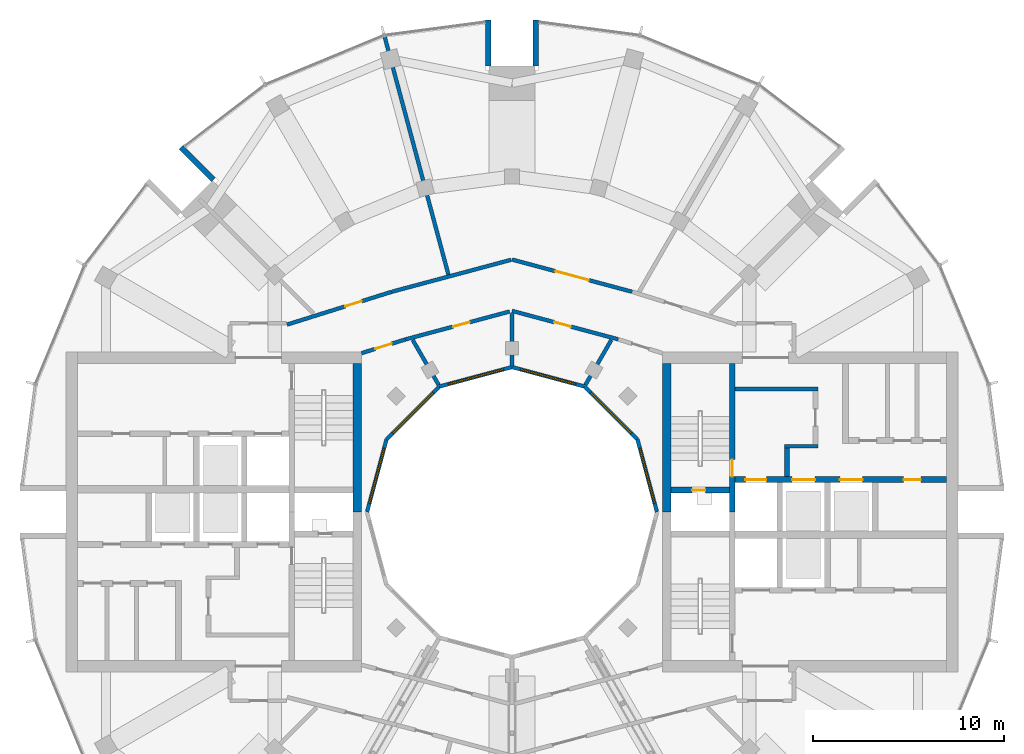
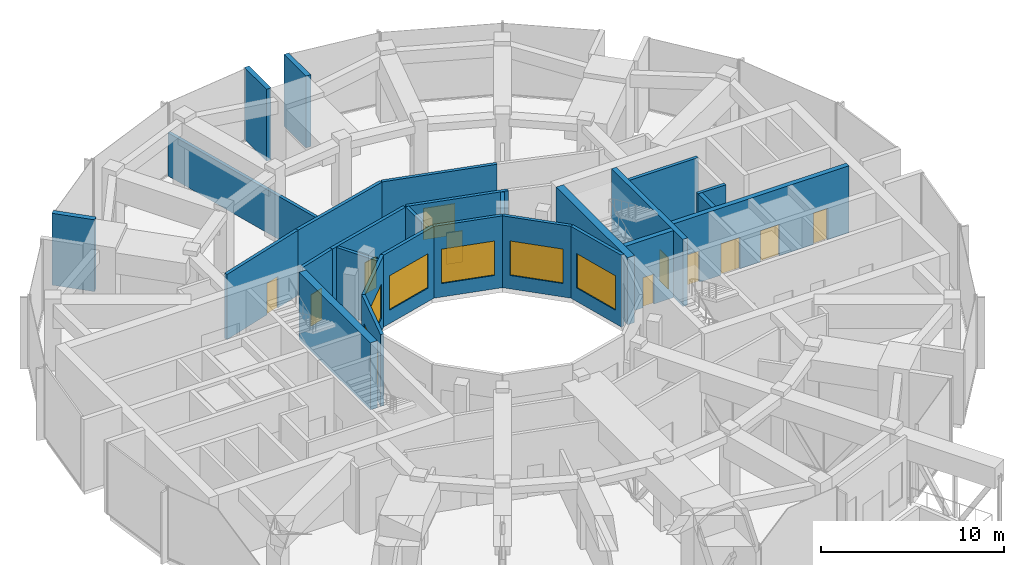
# One storey, part 13 of 17: 27 walls, 11 doors, 6 windows, 17 openings.
"""IFC4 building model written with IfcOpenShell, lengths in metres."""

from ifc_helpers import new_model, si_unit, direction, frame, frame_2d, origin, place, context, subcontext, project, spatial, rectangle, extrude, material, layer, layer_set, type_object, element, fill, save


model = new_model("IFC4")

# Units and contexts
model_context = context("Model", 3, precision=1e-05, world=origin(), true_north=direction((0.0, 1.0)))
body_context = subcontext(model_context, "Body", "Model", "MODEL_VIEW")
ifc_project = project(units=[si_unit("LENGTHUNIT", "METRE"), si_unit("AREAUNIT", "SQUARE_METRE"), si_unit("VOLUMEUNIT", "CUBIC_METRE"), si_unit("PLANEANGLEUNIT", "RADIAN"), si_unit("MASSUNIT", "GRAM", prefix="KILO")], contexts=[model_context])

# Site, building, storey
site_placement = place(None, origin())
site = spatial("IfcSite", under=ifc_project, at=site_placement, CompositionType="ELEMENT")
building_placement = place(site_placement, origin())
building = spatial("IfcBuilding", under=site, at=building_placement, Name="Torre Brocal", CompositionType="ELEMENT")
storey_placement = place(building_placement, frame((0.0, 0.0, 270.89990234375)))
storey = spatial("IfcBuildingStorey", under=building, at=storey_placement, Name="L62", CompositionType="ELEMENT", Elevation=270.89990234375)

# Walls
ifc_material_1 = material(Name="Concrete C60", Category="concrete")
ifc_layer_1 = layer(ifc_material_1, 0.199951171875)
ifc_layer_set_1 = layer_set([ifc_layer_1], Name="Concrete C60")
wall_type_1 = type_object("IfcWallType", Name="CORE WALL 200 C60", PredefinedType="SHEAR", material=ifc_layer_set_1)
wall_1_placement = place(storey_placement, frame((91.699951171875, 81.449951171875, 0.0), z_axis=(0.0, 0.0, 1.0), x_axis=(1.0, 0.0, 0.0)))
element("IfcWall", 1, at=wall_1_placement, inside=storey, type_object=wall_type_1, Name="Wall CW200-60", PredefinedType="SHEAR", context=body_context, shape_type="SweptSolid", body=[
    extrude(rectangle(XDim=4.35009765625, YDim=0.199951171875, at=frame_2d((2.175048828125, 0.0))), origin(), (0.0, 0.0, 1.0), 4.47998046875),
])
wall_2_placement = place(storey_placement, frame((94.300048828125, 78.449951171875, 0.0), z_axis=(0.0, 0.0, 1.0), x_axis=(1.0, 0.0, 0.0)))
element("IfcWall", 2, at=wall_2_placement, inside=storey, type_object=wall_type_1, Name="Wall CW200-60", PredefinedType="SHEAR", context=body_context, shape_type="SweptSolid", body=[
    extrude(rectangle(XDim=1.75, YDim=0.199951171875, at=frame_2d((0.875, 0.0))), origin(), (0.0, 0.0, 1.0), 4.47998046875),
])
ifc_material_2 = material(Name="Concrete C60", Category="concrete")
ifc_layer_2 = layer(ifc_material_2, 0.25)
ifc_layer_set_2 = layer_set([ifc_layer_2], Name="Concrete C60")
wall_type_2 = type_object("IfcWallType", Name="CORE WALL 250 C60", PredefinedType="SHEAR", material=ifc_layer_set_2)
wall_3_placement = place(storey_placement, frame((94.425048828125, 76.85009765625, 0.0), z_axis=(0.0, 0.0, 1.0), x_axis=(0.0, 1.0, 0.0)))
element("IfcWall", 3, at=wall_3_placement, inside=storey, type_object=wall_type_2, Name="Wall CW250-60", PredefinedType="SHEAR", context=body_context, shape_type="SweptSolid", body=[
    extrude(rectangle(XDim=1.5, YDim=0.25, at=frame_2d((0.75, 0.0))), origin(), (0.0, 0.0, 1.0), 4.47998046875),
])

# Wall, opening, door
ifc_material_3 = material(Name="Concrete C60", Category="concrete")
ifc_layer_3 = layer(ifc_material_3, 0.300048828125)
ifc_layer_set_3 = layer_set([ifc_layer_3], Name="Concrete C60")
wall_type_3 = type_object("IfcWallType", Name="CORE WALL 300 C60", PredefinedType="SHEAR", material=ifc_layer_set_3)
wall_4_placement = place(storey_placement, frame((91.550048828125, 75.0, 0.0), z_axis=(0.0, 0.0, 1.0), x_axis=(0.0, 1.0, 0.0)))
wall_4 = element("IfcWall", 4, at=wall_4_placement, inside=storey, type_object=wall_type_3, Name="Wall CW300-60", PredefinedType="SHEAR", context=body_context, shape_type="SweptSolid", body=[
    extrude(rectangle(XDim=7.800048828125, YDim=0.300048828125, at=frame_2d((3.89990234375, 0.0))), origin(), (0.0, 0.0, 1.0), 4.47998046875),
])
opening_1_placement = place(wall_4_placement, frame((1.85009765625, 0.0, 0.0)))
opening_1 = element("IfcOpeningElement", 5, at=opening_1_placement, cuts=wall_4, Name="Opening E-D02", PredefinedType="OPENING", context=body_context, shape_type="SweptSolid", body=[
    extrude(rectangle(XDim=0.89990234375, YDim=2.10009765625, at=frame_2d((0.449951171875, 1.050048828125))), frame((0.0, 0.159912109375, 0.0), z_axis=(0.0, -1.0, 0.0), x_axis=(1.0, 0.0, 0.0)), (0.0, 0.0, 1.0), 0.320068359375),
])
ifc_material_4 = material(Name="Steel A653", Category="steel")
door_type_1 = type_object("IfcDoorType", Name="STAIR DOOR FD120 900X2100", OperationType="SINGLE_SWING_RIGHT", PredefinedType="DOOR", material=ifc_material_4)
door_1_placement = place(opening_1_placement, origin())
door_1 = element("IfcDoor", 6, at=door_1_placement, inside=storey, type_object=door_type_1, Name="Door E-D02", OperationType="SINGLE_SWING_LEFT", OverallHeight=2.10009765625, OverallWidth=0.89990234375, PredefinedType="DOOR", context=body_context, shape_type="SweptSolid", body=[
    extrude(rectangle(XDim=0.89990234375, YDim=2.10009765625, at=frame_2d((0.449951171875, 1.050048828125))), frame((0.0, 0.02490234375, 0.0), z_axis=(0.0, -1.0, 0.0), x_axis=(1.0, 0.0, 0.0)), (0.0, 0.0, 1.0), 0.050048828125),
])
fill(opening_1, door_1)

wall_5_placement = place(storey_placement, frame((88.35009765625, 76.14990234375, 0.0), z_axis=(0.0, 0.0, 1.0), x_axis=(1.0, 0.0, 0.0)))
wall_5 = element("IfcWall", 7, at=wall_5_placement, inside=storey, type_object=wall_type_3, Name="Wall CW300-60", PredefinedType="SHEAR", context=body_context, shape_type="SweptSolid", body=[
    extrude(rectangle(XDim=3.0498046875, YDim=0.300048828125, at=frame_2d((1.52490234375, 0.0))), origin(), (0.0, 0.0, 1.0), 4.47998046875),
])
opening_2_placement = place(wall_5_placement, frame((1.10009765625, 0.0, 0.0)))
opening_2 = element("IfcOpeningElement", 8, at=opening_2_placement, cuts=wall_5, Name="Opening E-D01", PredefinedType="OPENING", context=body_context, shape_type="SweptSolid", body=[
    extrude(rectangle(XDim=0.699951171875, YDim=2.0, at=frame_2d((0.35009765625, 1.0))), frame((0.0, 0.159912109375, 0.0), z_axis=(0.0, -1.0, 0.0), x_axis=(1.0, 0.0, 0.0)), (0.0, 0.0, 1.0), 0.320068359375),
])
ifc_material_5 = material(Name="Steel A653", Category="steel")
door_type_2 = type_object("IfcDoorType", Name="RISER DOOR FD120 700X2000", OperationType="SINGLE_SWING_LEFT", PredefinedType="DOOR", material=ifc_material_5)
door_2_placement = place(opening_2_placement, frame((0.699951171875, 0.0, 0.0), z_axis=(0.0, 0.0, 1.0), x_axis=(-1.0, 0.0, 0.0)))
door_2 = element("IfcDoor", 9, at=door_2_placement, inside=storey, type_object=door_type_2, Name="Door E-D01", OperationType="SINGLE_SWING_RIGHT", OverallHeight=2.0, OverallWidth=0.699951171875, PredefinedType="DOOR", context=body_context, shape_type="SweptSolid", body=[
    extrude(rectangle(XDim=0.699951171875, YDim=2.0, at=frame_2d((0.35009765625, 1.0))), frame((0.0, 0.02490234375, 0.0), z_axis=(0.0, -1.0, 0.0), x_axis=(1.0, 0.0, 0.0)), (0.0, 0.0, 1.0), 0.050048828125),
])
fill(opening_2, door_2)

# Wall, openings, doors
wall_6_placement = place(storey_placement, frame((91.699951171875, 76.699951171875, 0.0), z_axis=(0.0, 0.0, 1.0), x_axis=(1.0, 0.0, 0.0)))
wall_6 = element("IfcWall", 10, at=wall_6_placement, inside=storey, type_object=wall_type_3, Name="Wall CW300-60", PredefinedType="SHEAR", context=body_context, shape_type="SweptSolid", body=[
    extrude(rectangle(XDim=11.10009765625, YDim=0.300048828125, at=frame_2d((5.550048828125, 0.0))), origin(), (0.0, 0.0, 1.0), 4.47998046875),
])
opening_3_placement = place(wall_6_placement, frame((0.550048828125, 0.0, 0.0)))
opening_3 = element("IfcOpeningElement", 11, at=opening_3_placement, cuts=wall_6, Name="Opening LD", PredefinedType="OPENING", context=body_context, shape_type="SweptSolid", body=[
    extrude(rectangle(XDim=1.10009765625, YDim=2.10009765625, at=frame_2d((0.550048828125, 1.050048828125))), frame((0.0, 0.159912109375, 0.0), z_axis=(0.0, -1.0, 0.0), x_axis=(1.0, 0.0, 0.0)), (0.0, 0.0, 1.0), 0.320068359375),
])
opening_4_placement = place(wall_6_placement, frame((3.0, 0.0, 0.0)))
opening_4 = element("IfcOpeningElement", 12, at=opening_4_placement, cuts=wall_6, Name="Opening LD12", PredefinedType="OPENING", context=body_context, shape_type="SweptSolid", body=[
    extrude(rectangle(XDim=1.199951171875, YDim=2.10009765625, at=frame_2d((0.60009765625, 1.050048828125))), frame((0.0, 0.159912109375, 0.0), z_axis=(0.0, -1.0, 0.0), x_axis=(1.0, 0.0, 0.0)), (0.0, 0.0, 1.0), 0.320068359375),
])
opening_5_placement = place(wall_6_placement, frame((5.5, 0.0, 0.0)))
opening_5 = element("IfcOpeningElement", 13, at=opening_5_placement, cuts=wall_6, Name="Opening LD12", PredefinedType="OPENING", context=body_context, shape_type="SweptSolid", body=[
    extrude(rectangle(XDim=1.199951171875, YDim=2.10009765625, at=frame_2d((0.60009765625, 1.050048828125))), frame((0.0, 0.159912109375, 0.0), z_axis=(0.0, -1.0, 0.0), x_axis=(1.0, 0.0, 0.0)), (0.0, 0.0, 1.0), 0.320068359375),
])
opening_6_placement = place(wall_6_placement, frame((8.85009765625, 0.0, 0.0)))
opening_6 = element("IfcOpeningElement", 14, at=opening_6_placement, cuts=wall_6, Name="Opening E-D04", PredefinedType="OPENING", context=body_context, shape_type="SweptSolid", body=[
    extrude(rectangle(XDim=0.89990234375, YDim=2.10009765625, at=frame_2d((0.449951171875, 1.050048828125))), frame((0.0, 0.159912109375, 0.0), z_axis=(0.0, -1.0, 0.0), x_axis=(1.0, 0.0, 0.0)), (0.0, 0.0, 1.0), 0.320068359375),
])
ifc_material_6 = material(Name="Stainless steel AISI 316", Category="steel")
door_type_3 = type_object("IfcDoorType", Name="LIFT LANDING DOOR 1100X2100", OperationType="DOUBLE_DOOR_SLIDING", PredefinedType="DOOR", material=ifc_material_6)
door_3_placement = place(opening_3_placement, origin())
door_3 = element("IfcDoor", 15, at=door_3_placement, inside=storey, type_object=door_type_3, Name="Door LD", OperationType="DOUBLE_DOOR_SLIDING", OverallHeight=2.10009765625, OverallWidth=1.10009765625, PredefinedType="DOOR", context=body_context, shape_type="SweptSolid", body=[
    extrude(rectangle(XDim=1.10009765625, YDim=2.10009765625, at=frame_2d((0.550048828125, 1.050048828125))), frame((0.0, 0.02490234375, 0.0), z_axis=(0.0, -1.0, 0.0), x_axis=(1.0, 0.0, 0.0)), (0.0, 0.0, 1.0), 0.050048828125),
])
fill(opening_3, door_3)
ifc_material_7 = material(Name="Stainless steel AISI 316", Category="steel")
door_type_4 = type_object("IfcDoorType", Name="LIFT LANDING DOOR 1200X2100", OperationType="DOUBLE_DOOR_SLIDING", PredefinedType="DOOR", material=ifc_material_7)
door_4_placement = place(opening_4_placement, origin())
door_4 = element("IfcDoor", 16, at=door_4_placement, inside=storey, type_object=door_type_4, Name="Door LD12", OperationType="DOUBLE_DOOR_SLIDING", OverallHeight=2.10009765625, OverallWidth=1.199951171875, PredefinedType="DOOR", context=body_context, shape_type="SweptSolid", body=[
    extrude(rectangle(XDim=1.199951171875, YDim=2.10009765625, at=frame_2d((0.60009765625, 1.050048828125))), frame((0.0, 0.02490234375, 0.0), z_axis=(0.0, -1.0, 0.0), x_axis=(1.0, 0.0, 0.0)), (0.0, 0.0, 1.0), 0.050048828125),
])
fill(opening_4, door_4)
door_5_placement = place(opening_5_placement, origin())
door_5 = element("IfcDoor", 17, at=door_5_placement, inside=storey, type_object=door_type_4, Name="Door LD12", OperationType="DOUBLE_DOOR_SLIDING", OverallHeight=2.10009765625, OverallWidth=1.199951171875, PredefinedType="DOOR", context=body_context, shape_type="SweptSolid", body=[
    extrude(rectangle(XDim=1.199951171875, YDim=2.10009765625, at=frame_2d((0.60009765625, 1.050048828125))), frame((0.0, 0.02490234375, 0.0), z_axis=(0.0, -1.0, 0.0), x_axis=(1.0, 0.0, 0.0)), (0.0, 0.0, 1.0), 0.050048828125),
])
fill(opening_5, door_5)
ifc_material_8 = material(Name="Steel A653", Category="steel")
door_type_5 = type_object("IfcDoorType", Name="ROOM DOOR FD30S 900X2100", OperationType="SINGLE_SWING_LEFT", PredefinedType="DOOR", material=ifc_material_8)
door_6_placement = place(opening_6_placement, frame((0.89990234375, 0.0, 0.0), z_axis=(0.0, 0.0, 1.0), x_axis=(-1.0, 0.0, 0.0)))
door_6 = element("IfcDoor", 18, at=door_6_placement, inside=storey, type_object=door_type_5, Name="Door E-D04", OperationType="SINGLE_SWING_LEFT", OverallHeight=2.10009765625, OverallWidth=0.89990234375, PredefinedType="DOOR", context=body_context, shape_type="SweptSolid", body=[
    extrude(rectangle(XDim=0.89990234375, YDim=2.10009765625, at=frame_2d((0.449951171875, 1.050048828125))), frame((0.0, 0.02490234375, 0.0), z_axis=(0.0, -1.0, 0.0), x_axis=(1.0, 0.0, 0.0)), (0.0, 0.0, 1.0), 0.050048828125),
])
fill(opening_6, door_6)

# Walls
ifc_material_9 = material(Name="Concrete C60", Category="concrete")
ifc_layer_4 = layer(ifc_material_9, 0.449951171875)
ifc_layer_set_4 = layer_set([ifc_layer_4], Name="Concrete C60")
wall_type_4 = type_object("IfcWallType", Name="CORE WALL 450 C60", PredefinedType="SHEAR", material=ifc_layer_set_4)
for number, where, z_axis, x_axis, name in (
    (19, (88.125, 75.0, 0.0), (0.0, 0.0, 1.0), (0.0, 1.0, 0.0), "Wall CW450-60"),
    (20, (71.875, 82.800048828125, 0.0), (0.0, 0.0, 1.0), (0.0, -1.0, 0.0), "Wall CW450-60"),
):
    element("IfcWall", number, at=place(storey_placement, frame(where, z_axis=z_axis, x_axis=x_axis)), inside=storey, type_object=wall_type_4, Name=name, PredefinedType="SHEAR", context=body_context, shape_type="SweptSolid", body=[
        extrude(rectangle(XDim=7.800048828125, YDim=0.449951171875, at=frame_2d((3.89990234375, 0.0))), origin(), (0.0, 0.0, 1.0), 4.47998046875),
    ])
ifc_material_10 = material(Name="Concrete C60", Category="concrete")
ifc_layer_5 = layer(ifc_material_10, 0.300048828125)
ifc_layer_set_5 = layer_set([ifc_layer_5], Name="Concrete C60")
wall_type_5 = type_object("IfcWallType", Name="NOTCH RETURN WALL 300 C60", PredefinedType="NOTDEFINED", material=ifc_layer_set_5)
for number, where, z_axis, x_axis, name in (
    (21, (81.25, 98.39990234375, 0.0), (0.0, 0.0, 1.0), (0.0, 1.0, 0.0), "NOTCH RETURN WALL"),
    (22, (78.75, 98.39990234375, 0.0), (0.0, 0.0, 1.0), (0.0, 1.0, 0.0), "NOTCH RETURN WALL"),
    (23, (64.337646484375, 92.43017578125, 0.0), (0.0, 0.0, 1.0), (-0.707106781187, 0.707106781187, 0.0), "NOTCH RETURN WALL"),
):
    element("IfcWall", number, at=place(storey_placement, frame(where, z_axis=z_axis, x_axis=x_axis)), inside=storey, type_object=wall_type_5, Name=name, PredefinedType="NOTDEFINED", context=body_context, shape_type="SweptSolid", body=[
        extrude(rectangle(XDim=2.415771484375, YDim=0.300048828125, at=frame_2d((1.2080078125, 0.0))), origin(), (0.0, 0.0, 1.0), 4.800048828125),
    ])

# Wall, opening, door
ifc_material_11 = material(Name="Gypsum board", Category="Gypsum")
ifc_layer_6 = layer(ifc_material_11, 0.199951171875)
ifc_layer_set_6 = layer_set([ifc_layer_6], Name="Gypsum board")
wall_type_6 = type_object("IfcWallType", Name="PARTITION 200 EI60", PredefinedType="PARTITIONING", material=ifc_layer_set_6)
wall_7_placement = place(storey_placement, frame((68.200927734375, 84.83349609375, 0.0), z_axis=(0.0, 0.0, 1.0), x_axis=(0.95420102455, 0.299166182492, 0.0)))
wall_7 = element("IfcWall", 24, at=wall_7_placement, inside=storey, type_object=wall_type_6, Name="CORRIDOR WALL", PredefinedType="PARTITIONING", context=body_context, shape_type="SweptSolid", body=[
    extrude(rectangle(XDim=5.739501953125, YDim=0.199951171875, at=frame_2d((2.86962890625, 0.0))), origin(), (0.0, 0.0, 1.0), 4.35009765625),
])
opening_7_placement = place(wall_7_placement, frame((3.1982421875, 0.0, 0.0)))
opening_7 = element("IfcOpeningElement", 25, at=opening_7_placement, cuts=wall_7, Name="Opening P01-D04", PredefinedType="OPENING", context=body_context, shape_type="SweptSolid", body=[
    extrude(rectangle(XDim=0.89990234375, YDim=2.10009765625, at=frame_2d((0.449951171875, 1.050048828125))), frame((0.0, 0.10986328125, 0.0), z_axis=(0.0, -1.0, 0.0), x_axis=(1.0, 0.0, 0.0)), (0.0, 0.0, 1.0), 0.219970703125),
])
ifc_material_12 = material(Name="Timber", Category="wood")
door_type_6 = type_object("IfcDoorType", Name="ROOM DOOR 900X2100", OperationType="SINGLE_SWING_LEFT", PredefinedType="DOOR", material=ifc_material_12)
door_7_placement = place(opening_7_placement, origin())
door_7 = element("IfcDoor", 26, at=door_7_placement, inside=storey, type_object=door_type_6, Name="P01-D04", OperationType="SINGLE_SWING_LEFT", OverallHeight=2.10009765625, OverallWidth=0.89990234375, PredefinedType="DOOR", context=body_context, shape_type="SweptSolid", body=[
    extrude(rectangle(XDim=0.89990234375, YDim=2.10009765625, at=frame_2d((0.449951171875, 1.050048828125))), frame((0.0, 0.02490234375, 0.0), z_axis=(0.0, -1.0, 0.0), x_axis=(1.0, 0.0, 0.0)), (0.0, 0.0, 1.0), 0.050048828125),
])
fill(opening_7, door_7)

wall_8_placement = place(storey_placement, frame((72.10009765625, 83.33203125, 0.0), z_axis=(0.0, 0.0, 1.0), x_axis=(0.954233106619, 0.299063836383, 0.0)))
wall_8 = element("IfcWall", 27, at=wall_8_placement, inside=storey, type_object=wall_type_6, Name="CORRIDOR WALL", PredefinedType="PARTITIONING", context=body_context, shape_type="SweptSolid", body=[
    extrude(rectangle(XDim=2.4140625, YDim=0.199951171875, at=frame_2d((1.20703125, 0.0))), origin(), (0.0, 0.0, 1.0), 4.35009765625),
])
opening_8_placement = place(wall_8_placement, frame((0.761962890625, 0.0, 0.0)))
opening_8 = element("IfcOpeningElement", 28, at=opening_8_placement, cuts=wall_8, Name="Opening P01-D09", PredefinedType="OPENING", context=body_context, shape_type="SweptSolid", body=[
    extrude(rectangle(XDim=0.89990234375, YDim=2.10009765625, at=frame_2d((0.449951171875, 1.050048828125))), frame((0.0, 0.10986328125, 0.0), z_axis=(0.0, -1.0, 0.0), x_axis=(1.0, 0.0, 0.0)), (0.0, 0.0, 1.0), 0.219970703125),
])
door_8_placement = place(opening_8_placement, frame((0.89990234375, 0.0, 0.0), z_axis=(0.0, 0.0, 1.0), x_axis=(-1.0, 0.0, 0.0)))
door_8 = element("IfcDoor", 29, at=door_8_placement, inside=storey, type_object=door_type_6, Name="P01-D09", OperationType="SINGLE_SWING_RIGHT", OverallHeight=2.10009765625, OverallWidth=0.89990234375, PredefinedType="DOOR", context=body_context, shape_type="SweptSolid", body=[
    extrude(rectangle(XDim=0.89990234375, YDim=2.10009765625, at=frame_2d((0.449951171875, 1.050048828125))), frame((0.0, 0.02490234375, 0.0), z_axis=(0.0, -1.0, 0.0), x_axis=(1.0, 0.0, 0.0)), (0.0, 0.0, 1.0), 0.050048828125),
])
fill(opening_8, door_8)

# Wall
wall_9_placement = place(storey_placement, frame((73.68701171875, 86.553955078125, 0.0), z_axis=(0.0, 0.0, 1.0), x_axis=(0.965933770452, 0.258789395263, 0.0)))
element("IfcWall", 30, at=wall_9_placement, inside=storey, type_object=wall_type_6, Name="CORRIDOR WALL", PredefinedType="PARTITIONING", context=body_context, shape_type="SweptSolid", body=[
    extrude(rectangle(XDim=6.48583984375, YDim=0.199951171875, at=frame_2d((3.242919921875, 0.0))), origin(), (0.0, 0.0, 1.0), 4.35009765625),
])

# Wall, opening, door
wall_10_placement = place(storey_placement, frame((74.4130859375, 84.056884765625, 0.0), z_axis=(0.0, 0.0, 1.0), x_axis=(0.965972135939, 0.258646153246, 0.0)))
wall_10 = element("IfcWall", 31, at=wall_10_placement, inside=storey, type_object=wall_type_6, Name="CORRIDOR WALL", PredefinedType="PARTITIONING", context=body_context, shape_type="SweptSolid", body=[
    extrude(rectangle(XDim=5.654052734375, YDim=0.199951171875, at=frame_2d((2.8271484375, 0.0))), origin(), (0.0, 0.0, 1.0), 4.35009765625),
])
opening_9_placement = place(wall_10_placement, frame((2.5927734375, 0.0, 0.0)))
opening_9 = element("IfcOpeningElement", 32, at=opening_9_placement, cuts=wall_10, Name="Opening P01-D08", PredefinedType="OPENING", context=body_context, shape_type="SweptSolid", body=[
    extrude(rectangle(XDim=0.89990234375, YDim=2.10009765625, at=frame_2d((0.449951171875, 1.050048828125))), frame((0.0, 0.10986328125, 0.0), z_axis=(0.0, -1.0, 0.0), x_axis=(1.0, 0.0, 0.0)), (0.0, 0.0, 1.0), 0.219970703125),
])
door_9_placement = place(opening_9_placement, frame((0.89990234375, 0.0, 0.0), z_axis=(0.0, 0.0, 1.0), x_axis=(-1.0, 0.0, 0.0)))
door_9 = element("IfcDoor", 33, at=door_9_placement, inside=storey, type_object=door_type_6, Name="P01-D08", OperationType="SINGLE_SWING_RIGHT", OverallHeight=2.10009765625, OverallWidth=0.89990234375, PredefinedType="DOOR", context=body_context, shape_type="SweptSolid", body=[
    extrude(rectangle(XDim=0.89990234375, YDim=2.10009765625, at=frame_2d((0.449951171875, 1.050048828125))), frame((0.0, 0.02490234375, 0.0), z_axis=(0.0, -1.0, 0.0), x_axis=(1.0, 0.0, 0.0)), (0.0, 0.0, 1.0), 0.050048828125),
])
fill(opening_9, door_9)

# Walls
wall_11_placement = place(storey_placement, frame((74.78955078125, 84.0283203125, 0.0), z_axis=(0.0, 0.0, 1.0), x_axis=(0.499905962189, -0.866079689733, 0.0)))
element("IfcWall", 34, at=wall_11_placement, inside=storey, type_object=wall_type_6, Name="SERVICE ROOM WALL", PredefinedType="PARTITIONING", context=body_context, shape_type="SweptSolid", body=[
    extrude(rectangle(XDim=2.7255859375, YDim=0.199951171875, at=frame_2d((1.36279296875, 0.0))), origin(), (0.0, 0.0, 1.0), 4.35009765625),
])
wall_12_placement = place(storey_placement, frame((80.0, 82.698974609375, 0.0), z_axis=(0.0, 0.0, 1.0), x_axis=(0.0, 1.0, 0.0)))
element("IfcWall", 35, at=wall_12_placement, inside=storey, type_object=wall_type_6, Name="SERVICE ROOM WALL", PredefinedType="PARTITIONING", context=body_context, shape_type="SweptSolid", body=[
    extrude(rectangle(XDim=2.72509765625, YDim=0.199951171875, at=frame_2d((1.362548828125, 0.0))), origin(), (0.0, 0.0, 1.0), 4.35009765625),
])

# Wall, opening, door
wall_13_placement = place(storey_placement, frame((80.0, 85.553955078125, 0.0), z_axis=(0.0, 0.0, 1.0), x_axis=(0.965928989968, -0.258807237802, 0.0)))
wall_13 = element("IfcWall", 36, at=wall_13_placement, inside=storey, type_object=wall_type_6, Name="CORRIDOR WALL", PredefinedType="PARTITIONING", context=body_context, shape_type="SweptSolid", body=[
    extrude(rectangle(XDim=5.774169921875, YDim=0.199951171875, at=frame_2d((2.88720703125, 0.0))), origin(), (0.0, 0.0, 1.0), 4.35009765625),
])
opening_10_placement = place(wall_13_placement, frame((2.29150390625, 0.0, 0.0)))
opening_10 = element("IfcOpeningElement", 37, at=opening_10_placement, cuts=wall_13, Name="Opening P01-D07", PredefinedType="OPENING", context=body_context, shape_type="SweptSolid", body=[
    extrude(rectangle(XDim=0.89990234375, YDim=2.10009765625, at=frame_2d((0.449951171875, 1.050048828125))), frame((0.0, 0.10986328125, 0.0), z_axis=(0.0, -1.0, 0.0), x_axis=(1.0, 0.0, 0.0)), (0.0, 0.0, 1.0), 0.219970703125),
])
door_10_placement = place(opening_10_placement, frame((0.89990234375, 0.0, 0.0), z_axis=(0.0, 0.0, 1.0), x_axis=(-1.0, 0.0, 0.0)))
door_10 = element("IfcDoor", 38, at=door_10_placement, inside=storey, type_object=door_type_6, Name="P01-D07", OperationType="SINGLE_SWING_LEFT", OverallHeight=2.10009765625, OverallWidth=0.89990234375, PredefinedType="DOOR", context=body_context, shape_type="SweptSolid", body=[
    extrude(rectangle(XDim=0.89990234375, YDim=2.10009765625, at=frame_2d((0.449951171875, 1.050048828125))), frame((0.0, 0.02490234375, 0.0), z_axis=(0.0, -1.0, 0.0), x_axis=(1.0, 0.0, 0.0)), (0.0, 0.0, 1.0), 0.050048828125),
])
fill(opening_10, door_10)

wall_14_placement = place(storey_placement, frame((80.0, 88.24609375, 0.0), z_axis=(0.0, 0.0, 1.0), x_axis=(0.965856994925, -0.259075790752, 0.0)))
wall_14 = element("IfcWall", 39, at=wall_14_placement, inside=storey, type_object=wall_type_6, Name="CORRIDOR WALL", PredefinedType="PARTITIONING", context=body_context, shape_type="SweptSolid", body=[
    extrude(rectangle(XDim=6.52587890625, YDim=0.199951171875, at=frame_2d((3.262939453125, 0.0))), origin(), (0.0, 0.0, 1.0), 4.35009765625),
])
opening_11_placement = place(wall_14_placement, frame((2.367919921875, 0.0, 0.0)))
opening_11 = element("IfcOpeningElement", 40, at=opening_11_placement, cuts=wall_14, Name="Opening P01-D03", PredefinedType="OPENING", context=body_context, shape_type="SweptSolid", body=[
    extrude(rectangle(XDim=1.800048828125, YDim=2.10009765625, at=frame_2d((0.89990234375, 1.050048828125))), frame((0.0, 0.10986328125, 0.0), z_axis=(0.0, -1.0, 0.0), x_axis=(1.0, 0.0, 0.0)), (0.0, 0.0, 1.0), 0.219970703125),
])
ifc_material_13 = material(Name="Timber", Category="wood")
door_type_7 = type_object("IfcDoorType", Name="DOUBLE DOOR 1800X2100", OperationType="DOUBLE_DOOR_SINGLE_SWING", PredefinedType="DOOR", material=ifc_material_13)
door_11_placement = place(opening_11_placement, origin())
door_11 = element("IfcDoor", 41, at=door_11_placement, inside=storey, type_object=door_type_7, Name="P01-D03", OperationType="DOUBLE_DOOR_SINGLE_SWING", OverallHeight=2.10009765625, OverallWidth=1.800048828125, PredefinedType="DOOR", context=body_context, shape_type="SweptSolid", body=[
    extrude(rectangle(XDim=1.800048828125, YDim=2.10009765625, at=frame_2d((0.89990234375, 1.050048828125))), frame((0.0, 0.02490234375, 0.0), z_axis=(0.0, -1.0, 0.0), x_axis=(1.0, 0.0, 0.0)), (0.0, 0.0, 1.0), 0.050048828125),
])
fill(opening_11, door_11)

# Walls
wall_15_placement = place(storey_placement, frame((83.849609375, 81.666748046875, 0.0), z_axis=(0.0, 0.0, 1.0), x_axis=(0.500079107518, 0.86597972622, 0.0)))
element("IfcWall", 42, at=wall_15_placement, inside=storey, type_object=wall_type_6, Name="SERVICE ROOM WALL", PredefinedType="PARTITIONING", context=body_context, shape_type="SweptSolid", body=[
    extrude(rectangle(XDim=2.7255859375, YDim=0.199951171875, at=frame_2d((1.36279296875, 0.0))), origin(), (0.0, 0.0, 1.0), 4.35009765625),
])
ifc_material_14 = material(Name="Gypsum board", Category="Gypsum")
ifc_layer_7 = layer(ifc_material_14, 0.199951171875)
ifc_layer_set_7 = layer_set([ifc_layer_7], Name="Gypsum board")
wall_type_7 = type_object("IfcWallType", Name="PARTITION 200 EI60 UNDER BEAM 1920", PredefinedType="PARTITIONING", material=ifc_layer_set_7)
wall_16_placement = place(storey_placement, frame((73.322998046875, 99.918212890625, 0.0), z_axis=(0.0, 0.0, 1.0), x_axis=(0.2588719653, -0.965911644811, 0.0)))
element("IfcWall", 43, at=wall_16_placement, inside=storey, type_object=wall_type_7, Name="PARTY PARTITION", PredefinedType="PARTITIONING", context=body_context, shape_type="SweptSolid", body=[
    extrude(rectangle(XDim=12.902587890625, YDim=0.199951171875, at=frame_2d((6.451171875, 0.0))), origin(), (0.0, 0.0, 1.0), 2.880126953125),
])

# Wall, opening, window
ifc_material_15 = material(Name="Concrete C40", Category="concrete")
ifc_layer_8 = layer(ifc_material_15, 0.199951171875)
ifc_layer_set_8 = layer_set([ifc_layer_8], Name="Concrete C40")
wall_type_8 = type_object("IfcWallType", Name="WELL FACADE WALL 200", PredefinedType="NOTDEFINED", material=ifc_layer_set_8)
wall_17_placement = place(storey_placement, frame((87.603515625, 75.0, 0.0), z_axis=(0.0, 0.0, 1.0), x_axis=(-0.258789828301, 0.965933654434, 0.0)))
wall_17 = element("IfcWall", 44, at=wall_17_placement, inside=storey, type_object=wall_type_8, Name="WELL FACADE WALL", PredefinedType="NOTDEFINED", context=body_context, shape_type="SweptSolid", body=[
    extrude(rectangle(XDim=3.935791015625, YDim=0.199951171875, at=frame_2d((1.9677734375, 0.0))), origin(), (0.0, 0.0, 1.0), 4.800048828125),
])
opening_12_placement = place(wall_17_placement, frame((0.468017578125, 0.0, 0.89990234375)))
opening_12 = element("IfcOpeningElement", 45, at=opening_12_placement, cuts=wall_17, Name="Opening W1", PredefinedType="OPENING", context=body_context, shape_type="SweptSolid", body=[
    extrude(rectangle(XDim=3.0, YDim=2.300048828125, at=frame_2d((1.5, 1.14990234375))), frame((0.0, 0.10986328125, 0.0), z_axis=(0.0, -1.0, 0.0), x_axis=(1.0, 0.0, 0.0)), (0.0, 0.0, 1.0), 0.219970703125),
])
ifc_material_16 = material(Name="Aluminium and glass", Category="aluminium")
window_type = type_object("IfcWindowType", Name="WELL WINDOW 3000X2300", PartitioningType="SINGLE_PANEL", PredefinedType="WINDOW", material=ifc_material_16)
window_1_placement = place(opening_12_placement, origin())
window_1 = element("IfcWindow", 46, at=window_1_placement, inside=storey, type_object=window_type, Name="WELL WINDOW 3000X2300", OverallHeight=2.300048828125, OverallWidth=3.0, PartitioningType="SINGLE_PANEL", PredefinedType="WINDOW", context=body_context, shape_type="SweptSolid", body=[
    extrude(rectangle(XDim=3.0, YDim=2.300048828125, at=frame_2d((1.5, 1.14990234375))), frame((0.0, 0.030029296875, 0.0), z_axis=(0.0, -1.0, 0.0), x_axis=(1.0, 0.0, 0.0)), (0.0, 0.0, 1.0), 0.06005859375),
])
fill(opening_12, window_1)

wall_18_placement = place(storey_placement, frame((86.5849609375, 78.8017578125, 0.0), z_axis=(0.0, 0.0, 1.0), x_axis=(-0.707106781187, 0.707106781187, 0.0)))
wall_18 = element("IfcWall", 47, at=wall_18_placement, inside=storey, type_object=wall_type_8, Name="WELL FACADE WALL", PredefinedType="NOTDEFINED", context=body_context, shape_type="SweptSolid", body=[
    extrude(rectangle(XDim=3.93603515625, YDim=0.199951171875, at=frame_2d((1.968017578125, 0.0))), origin(), (0.0, 0.0, 1.0), 4.800048828125),
])
opening_13_placement = place(wall_18_placement, frame((0.468017578125, 0.0, 0.89990234375)))
opening_13 = element("IfcOpeningElement", 48, at=opening_13_placement, cuts=wall_18, Name="Opening W1", PredefinedType="OPENING", context=body_context, shape_type="SweptSolid", body=[
    extrude(rectangle(XDim=3.0, YDim=2.300048828125, at=frame_2d((1.5, 1.14990234375))), frame((0.0, 0.10986328125, 0.0), z_axis=(0.0, -1.0, 0.0), x_axis=(1.0, 0.0, 0.0)), (0.0, 0.0, 1.0), 0.219970703125),
])
window_2_placement = place(opening_13_placement, origin())
window_2 = element("IfcWindow", 49, at=window_2_placement, inside=storey, type_object=window_type, Name="WELL WINDOW 3000X2300", OverallHeight=2.300048828125, OverallWidth=3.0, PartitioningType="SINGLE_PANEL", PredefinedType="WINDOW", context=body_context, shape_type="SweptSolid", body=[
    extrude(rectangle(XDim=3.0, YDim=2.300048828125, at=frame_2d((1.5, 1.14990234375))), frame((0.0, 0.030029296875, 0.0), z_axis=(0.0, -1.0, 0.0), x_axis=(1.0, 0.0, 0.0)), (0.0, 0.0, 1.0), 0.06005859375),
])
fill(opening_13, window_2)

wall_19_placement = place(storey_placement, frame((83.8017578125, 81.5849609375, 0.0), z_axis=(0.0, 0.0, 1.0), x_axis=(-0.965933654434, 0.258789828301, 0.0)))
wall_19 = element("IfcWall", 50, at=wall_19_placement, inside=storey, type_object=wall_type_8, Name="WELL FACADE WALL", PredefinedType="NOTDEFINED", context=body_context, shape_type="SweptSolid", body=[
    extrude(rectangle(XDim=3.935791015625, YDim=0.199951171875, at=frame_2d((1.9677734375, 0.0))), origin(), (0.0, 0.0, 1.0), 4.800048828125),
])
opening_14_placement = place(wall_19_placement, frame((0.468017578125, 0.0, 0.89990234375)))
opening_14 = element("IfcOpeningElement", 51, at=opening_14_placement, cuts=wall_19, Name="Opening W1", PredefinedType="OPENING", context=body_context, shape_type="SweptSolid", body=[
    extrude(rectangle(XDim=3.0, YDim=2.300048828125, at=frame_2d((1.5, 1.14990234375))), frame((0.0, 0.10986328125, 0.0), z_axis=(0.0, -1.0, 0.0), x_axis=(1.0, 0.0, 0.0)), (0.0, 0.0, 1.0), 0.219970703125),
])
window_3_placement = place(opening_14_placement, origin())
window_3 = element("IfcWindow", 52, at=window_3_placement, inside=storey, type_object=window_type, Name="WELL WINDOW 3000X2300", OverallHeight=2.300048828125, OverallWidth=3.0, PartitioningType="SINGLE_PANEL", PredefinedType="WINDOW", context=body_context, shape_type="SweptSolid", body=[
    extrude(rectangle(XDim=3.0, YDim=2.300048828125, at=frame_2d((1.5, 1.14990234375))), frame((0.0, 0.030029296875, 0.0), z_axis=(0.0, -1.0, 0.0), x_axis=(1.0, 0.0, 0.0)), (0.0, 0.0, 1.0), 0.06005859375),
])
fill(opening_14, window_3)

wall_20_placement = place(storey_placement, frame((80.0, 82.603515625, 0.0), z_axis=(0.0, 0.0, 1.0), x_axis=(-0.965933654434, -0.258789828301, 0.0)))
wall_20 = element("IfcWall", 53, at=wall_20_placement, inside=storey, type_object=wall_type_8, Name="WELL FACADE WALL", PredefinedType="NOTDEFINED", context=body_context, shape_type="SweptSolid", body=[
    extrude(rectangle(XDim=3.935791015625, YDim=0.199951171875, at=frame_2d((1.9677734375, 0.0))), origin(), (0.0, 0.0, 1.0), 4.800048828125),
])
opening_15_placement = place(wall_20_placement, frame((0.468017578125, 0.0, 0.89990234375)))
opening_15 = element("IfcOpeningElement", 54, at=opening_15_placement, cuts=wall_20, Name="Opening W1", PredefinedType="OPENING", context=body_context, shape_type="SweptSolid", body=[
    extrude(rectangle(XDim=3.0, YDim=2.300048828125, at=frame_2d((1.5, 1.14990234375))), frame((0.0, 0.10986328125, 0.0), z_axis=(0.0, -1.0, 0.0), x_axis=(1.0, 0.0, 0.0)), (0.0, 0.0, 1.0), 0.219970703125),
])
window_4_placement = place(opening_15_placement, origin())
window_4 = element("IfcWindow", 55, at=window_4_placement, inside=storey, type_object=window_type, Name="WELL WINDOW 3000X2300", OverallHeight=2.300048828125, OverallWidth=3.0, PartitioningType="SINGLE_PANEL", PredefinedType="WINDOW", context=body_context, shape_type="SweptSolid", body=[
    extrude(rectangle(XDim=3.0, YDim=2.300048828125, at=frame_2d((1.5, 1.14990234375))), frame((0.0, 0.030029296875, 0.0), z_axis=(0.0, -1.0, 0.0), x_axis=(1.0, 0.0, 0.0)), (0.0, 0.0, 1.0), 0.06005859375),
])
fill(opening_15, window_4)

wall_21_placement = place(storey_placement, frame((76.1982421875, 81.5849609375, 0.0), z_axis=(0.0, 0.0, 1.0), x_axis=(-0.707106781187, -0.707106781187, 0.0)))
wall_21 = element("IfcWall", 56, at=wall_21_placement, inside=storey, type_object=wall_type_8, Name="WELL FACADE WALL", PredefinedType="NOTDEFINED", context=body_context, shape_type="SweptSolid", body=[
    extrude(rectangle(XDim=3.93603515625, YDim=0.199951171875, at=frame_2d((1.968017578125, 0.0))), origin(), (0.0, 0.0, 1.0), 4.800048828125),
])
opening_16_placement = place(wall_21_placement, frame((0.468017578125, 0.0, 0.89990234375)))
opening_16 = element("IfcOpeningElement", 57, at=opening_16_placement, cuts=wall_21, Name="Opening W1", PredefinedType="OPENING", context=body_context, shape_type="SweptSolid", body=[
    extrude(rectangle(XDim=3.0, YDim=2.300048828125, at=frame_2d((1.5, 1.14990234375))), frame((0.0, 0.10986328125, 0.0), z_axis=(0.0, -1.0, 0.0), x_axis=(1.0, 0.0, 0.0)), (0.0, 0.0, 1.0), 0.219970703125),
])
window_5_placement = place(opening_16_placement, origin())
window_5 = element("IfcWindow", 58, at=window_5_placement, inside=storey, type_object=window_type, Name="WELL WINDOW 3000X2300", OverallHeight=2.300048828125, OverallWidth=3.0, PartitioningType="SINGLE_PANEL", PredefinedType="WINDOW", context=body_context, shape_type="SweptSolid", body=[
    extrude(rectangle(XDim=3.0, YDim=2.300048828125, at=frame_2d((1.5, 1.14990234375))), frame((0.0, 0.030029296875, 0.0), z_axis=(0.0, -1.0, 0.0), x_axis=(1.0, 0.0, 0.0)), (0.0, 0.0, 1.0), 0.06005859375),
])
fill(opening_16, window_5)

wall_22_placement = place(storey_placement, frame((73.4150390625, 78.8017578125, 0.0), z_axis=(0.0, 0.0, 1.0), x_axis=(-0.258789828301, -0.965933654434, 0.0)))
wall_22 = element("IfcWall", 59, at=wall_22_placement, inside=storey, type_object=wall_type_8, Name="WELL FACADE WALL", PredefinedType="NOTDEFINED", context=body_context, shape_type="SweptSolid", body=[
    extrude(rectangle(XDim=3.935791015625, YDim=0.199951171875, at=frame_2d((1.9677734375, 0.0))), origin(), (0.0, 0.0, 1.0), 4.800048828125),
])
opening_17_placement = place(wall_22_placement, frame((0.468017578125, 0.0, 0.89990234375)))
opening_17 = element("IfcOpeningElement", 60, at=opening_17_placement, cuts=wall_22, Name="Opening W1", PredefinedType="OPENING", context=body_context, shape_type="SweptSolid", body=[
    extrude(rectangle(XDim=3.0, YDim=2.300048828125, at=frame_2d((1.5, 1.14990234375))), frame((0.0, 0.10986328125, 0.0), z_axis=(0.0, -1.0, 0.0), x_axis=(1.0, 0.0, 0.0)), (0.0, 0.0, 1.0), 0.219970703125),
])
window_6_placement = place(opening_17_placement, origin())
window_6 = element("IfcWindow", 61, at=window_6_placement, inside=storey, type_object=window_type, Name="WELL WINDOW 3000X2300", OverallHeight=2.300048828125, OverallWidth=3.0, PartitioningType="SINGLE_PANEL", PredefinedType="WINDOW", context=body_context, shape_type="SweptSolid", body=[
    extrude(rectangle(XDim=3.0, YDim=2.300048828125, at=frame_2d((1.5, 1.14990234375))), frame((0.0, 0.030029296875, 0.0), z_axis=(0.0, -1.0, 0.0), x_axis=(1.0, 0.0, 0.0)), (0.0, 0.0, 1.0), 0.06005859375),
])
fill(opening_17, window_6)

save(model, "model.ifc")
